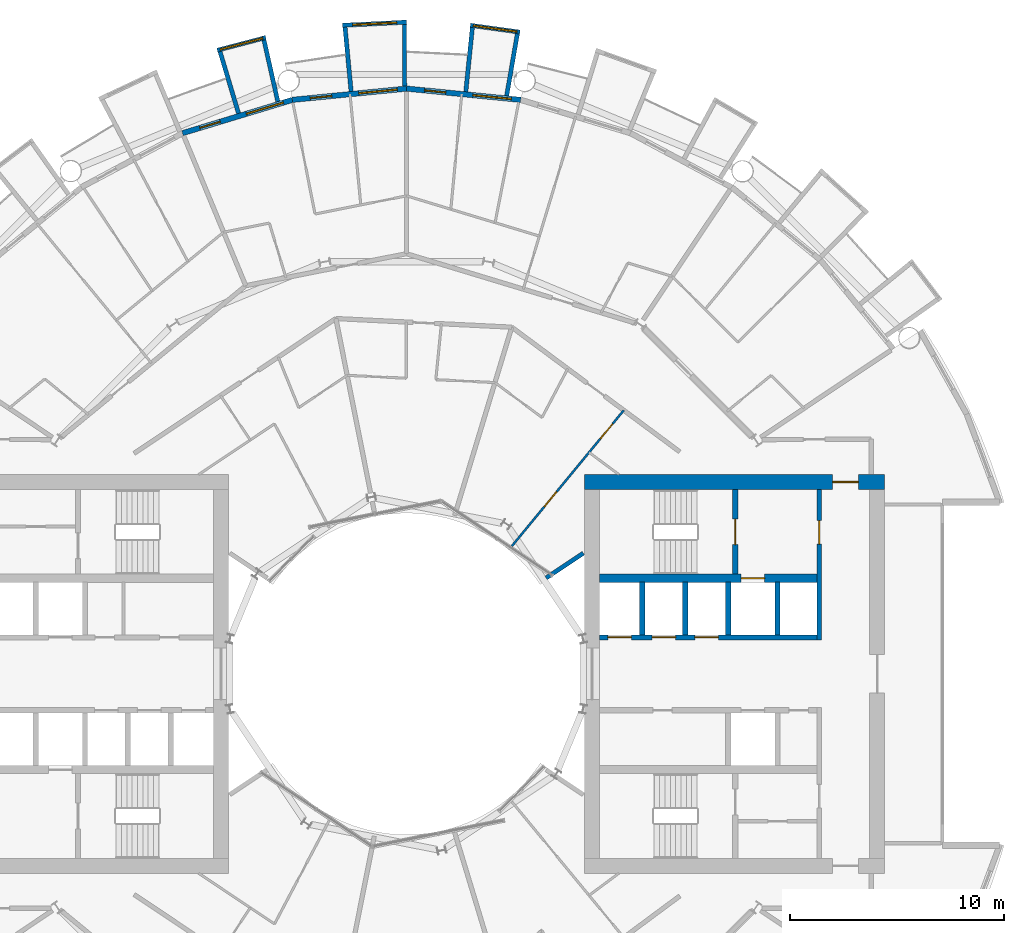
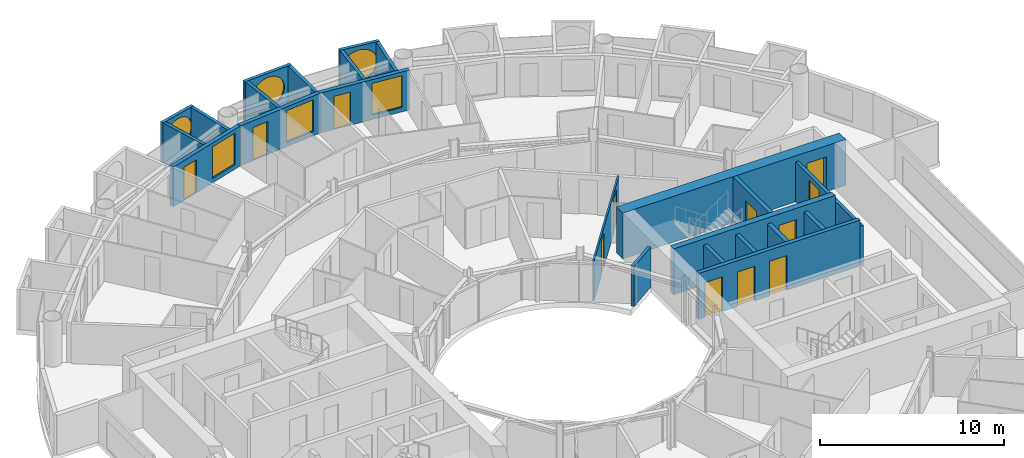
# One storey, part 20 of 25: 23 walls, 12 doors, 6 windows, 18 openings.
"""IFC4 building model written with IfcOpenShell, lengths in metres."""

import ifcopenshell
import ifcopenshell.guid

model = None  # the IFC model being written
_history = None  # IfcOwnerHistory: only IFC2X3 demands one
_inside = {}  # id of a spatial element -> (the spatial element, [elements in it])
_under = {}  # id of a project, library or spatial element -> (it, [spatial elements below it])
_declared = {}  # id of a project -> (the project, [libraries it declares])
_typed = {}  # id of a type object -> (the type object, [elements of that type])
_made_of = {}  # id of a material, layer set ... -> (it, [elements and type objects made of it])


def new_model(schema):
    """Start an empty IFC model of exactly this schema.

    Asked for "IFC4X3", IfcOpenShell would pick the latest addendum, in which some entities
    have other attributes; the version numbers below select the first issue.
    IFC2X3 requires an IfcOwnerHistory on every rooted entity: one is made here for all.
    """
    global model, _history
    if schema == "IFC4X3":
        model = ifcopenshell.file(schema_version=(4, 3, 0, 0))
    else:
        model = ifcopenshell.file(schema=schema)
    _inside.clear()
    _under.clear()
    _declared.clear()
    _typed.clear()
    _made_of.clear()
    _history = None
    if model.schema == "IFC2X3":
        org = make("IfcOrganization", Name="unknown")
        user = make(
            "IfcPersonAndOrganization",
            ThePerson=make("IfcPerson", FamilyName="unknown"),
            TheOrganization=org,
        )
        app = make(
            "IfcApplication",
            ApplicationDeveloper=org,
            Version="unknown",
            ApplicationFullName="unknown",
            ApplicationIdentifier="unknown",
        )
        _history = make(
            "IfcOwnerHistory",
            OwningUser=user,
            OwningApplication=app,
            ChangeAction="ADDED",
            CreationDate=0,
        )
    return model


def make(cls, **values):
    """One entity of the class cls with the attributes given. An attribute that is None is left unset."""
    return model.create_entity(
        cls, **{name: value for name, value in values.items() if value is not None}
    )


def rooted(cls, **values):
    """An entity with a GlobalId (a new one), such as an element, a storey or a relation."""
    return make(cls, GlobalId=ifcopenshell.guid.new(), OwnerHistory=_history, **values)


def si_unit(unit_type, name, prefix=None):
    """IfcSIUnit, for example si_unit("LENGTHUNIT", "METRE", prefix="MILLI")."""
    return make("IfcSIUnit", UnitType=unit_type, Prefix=prefix, Name=name)


def assignment(units):
    """IfcUnitAssignment: the units of a project."""
    return None if units is None else make("IfcUnitAssignment", Units=units)


def point(xyz):
    """IfcCartesianPoint."""
    return None if xyz is None else make("IfcCartesianPoint", Coordinates=xyz)


def direction(xyz):
    """IfcDirection."""
    return None if xyz is None else make("IfcDirection", DirectionRatios=xyz)


def frame(location, z_axis=None, x_axis=None):
    """IfcAxis2Placement3D, a coordinate frame: its origin and axes. An axis left out is left unset."""
    return make(
        "IfcAxis2Placement3D",
        Location=point(location),
        Axis=direction(z_axis),
        RefDirection=direction(x_axis),
    )


def frame_2d(location, x_axis=None):
    """IfcAxis2Placement2D, a coordinate frame in the plane: its origin and x axis."""
    return make(
        "IfcAxis2Placement2D", Location=point(location), RefDirection=direction(x_axis)
    )


def origin():
    """The frame at (0, 0, 0) with its axes left unset."""
    return frame((0.0, 0.0, 0.0))


def place(relative_to, where):
    """IfcLocalPlacement: puts the frame where relative to a parent placement (None: the world)."""
    return make(
        "IfcLocalPlacement", PlacementRelTo=relative_to, RelativePlacement=where
    )


def context(
    kind, dimensions, precision=None, world=None, true_north=None, identifier=None
):
    """IfcGeometricRepresentationContext, for example the 3D "Model" context."""
    return make(
        "IfcGeometricRepresentationContext",
        ContextIdentifier=identifier,
        ContextType=kind,
        CoordinateSpaceDimension=dimensions,
        Precision=precision,
        WorldCoordinateSystem=world,
        TrueNorth=true_north,
    )


def subcontext(parent, identifier, kind, view, scale=None):
    """IfcGeometricRepresentationSubContext, for example "Body" below "Model"."""
    return make(
        "IfcGeometricRepresentationSubContext",
        ContextIdentifier=identifier,
        ContextType=kind,
        ParentContext=parent,
        TargetScale=scale,
        TargetView=view,
    )


def project(units=None, contexts=None):
    """IfcProject with its units and contexts."""
    return rooted(
        "IfcProject",
        Name="project",
        RepresentationContexts=contexts,
        UnitsInContext=assignment(units),
    )


def spatial(cls, under=None, at=None, **own):
    """A site, building, storey or space (cls), placed at a placement, below another one or the project."""
    s = rooted(cls, ObjectPlacement=at, **own)
    if under is not None:
        _under.setdefault(under.id(), (under, []))[1].append(s)
    return s


def profile(cls, at=None, kind="AREA", **sizes):
    """A parametric profile (cls). Its sizes go by their IFC names, for example OverallWidth=200.0."""
    return make(cls, ProfileType=kind, Position=at, **sizes)


def rectangle(**sizes):
    """IfcRectangleProfileDef."""
    return profile("IfcRectangleProfileDef", **sizes)


def circle(**sizes):
    """IfcCircleProfileDef."""
    return profile("IfcCircleProfileDef", **sizes)


def extrude(swept, where, along, depth):
    """IfcExtrudedAreaSolid: the profile swept, set in the frame where, extruded along a direction by depth."""
    return make(
        "IfcExtrudedAreaSolid",
        SweptArea=swept,
        Position=where,
        ExtrudedDirection=direction(along),
        Depth=depth,
    )


def shape(context_of_items, identifier, shape_type, items):
    """IfcShapeRepresentation: the items that make up one representation, for example the "Body"."""
    return make(
        "IfcShapeRepresentation",
        ContextOfItems=context_of_items,
        RepresentationIdentifier=identifier,
        RepresentationType=shape_type,
        Items=items,
    )


def material(Name=None, Category=None):
    """IfcMaterial."""
    return make("IfcMaterial", Name=Name, Category=Category)


def layer(
    of_material, thickness, ventilated=None, Name=None, Category=None, Priority=None
):
    """IfcMaterialLayer: one layer of a wall or slab, of a material (None: an air gap)."""
    return make(
        "IfcMaterialLayer",
        Material=of_material,
        LayerThickness=thickness,
        IsVentilated=ventilated,
        Name=Name,
        Category=Category,
        Priority=Priority,
    )


def layer_set(layers, Name=None):
    """IfcMaterialLayerSet."""
    return make("IfcMaterialLayerSet", MaterialLayers=layers, LayerSetName=Name)


def made_of(thing, what):
    """Note that an element or type object is made of a material, layer set ...; save() writes the relation."""
    if what is not None:
        _made_of.setdefault(what.id(), (what, []))[1].append(thing)
    return thing


def type_object(cls, material=None, **own):
    """A type object (cls), such as IfcWallType, which elements share."""
    return made_of(rooted(cls, **own), material)


def element(
    cls,
    number,
    at=None,
    inside=None,
    cuts=None,
    type_object=None,
    material=None,
    context=None,
    identifier="Body",
    shape_type=None,
    held_by="IfcProductDefinitionShape",
    body=None,
    shapes=None,
    **own,
):
    """One element of the class cls, such as IfcWall. Its Tag is "e" and its number.

    at: its placement. inside: the storey or other place that contains it. cuts: it is an
    opening in that element (IfcRelVoidsElement). A single representation is given by context,
    identifier, shape_type and body (its items); several are given by shapes. held_by: the class
    of the entity that holds the representations. save() writes the other relations.
    """
    e = rooted(cls, Tag="e%d" % number, ObjectPlacement=at, **own)
    if body is not None:
        shapes = [shape(context, identifier, shape_type, body)]
    if shapes is not None:
        e.Representation = make(held_by, Representations=shapes)
    if inside is not None:
        _inside.setdefault(inside.id(), (inside, []))[1].append(e)
    if cuts is not None:
        rooted(
            "IfcRelVoidsElement", RelatingBuildingElement=cuts, RelatedOpeningElement=e
        )
    if type_object is not None:
        _typed.setdefault(type_object.id(), (type_object, []))[1].append(e)
    return made_of(e, material)


def fill(opening, filler):
    """IfcRelFillsElement: the door or window that sits in an opening."""
    return rooted(
        "IfcRelFillsElement",
        RelatingOpeningElement=opening,
        RelatedBuildingElement=filler,
    )


def aggregate(whole, parts):
    """IfcRelAggregates: a whole, such as a stair, and the parts it consists of."""
    return rooted("IfcRelAggregates", RelatingObject=whole, RelatedObjects=parts)


def save(model, path):
    """Write the relations noted so far, then the file.

    IfcRelAggregates (storeys below a building ...), IfcRelContainedInSpatialStructure (elements
    in a storey), IfcRelDefinesByType, IfcRelAssociatesMaterial and IfcRelDeclares: one each for
    every whole, place, type object, material and project.
    """
    for whole, parts in _under.values():
        aggregate(whole, parts)
    for where, things in _inside.values():
        rooted(
            "IfcRelContainedInSpatialStructure",
            RelatedElements=things,
            RelatingStructure=where,
        )
    for kind, things in _typed.values():
        rooted("IfcRelDefinesByType", RelatedObjects=things, RelatingType=kind)
    for what, things in _made_of.values():
        rooted("IfcRelAssociatesMaterial", RelatedObjects=things, RelatingMaterial=what)
    for by, libraries in _declared.values():
        rooted("IfcRelDeclares", RelatingContext=by, RelatedDefinitions=libraries)
    model.write(path)


model = new_model("IFC4")

# Units and contexts
model_context = context("Model", 3, precision=1e-05, world=origin(), true_north=direction((0.0, 1.0)))
body_context = subcontext(model_context, "Body", "Model", "MODEL_VIEW")
ifc_project = project(units=[si_unit("LENGTHUNIT", "METRE"), si_unit("AREAUNIT", "SQUARE_METRE"), si_unit("VOLUMEUNIT", "CUBIC_METRE"), si_unit("PLANEANGLEUNIT", "RADIAN"), si_unit("MASSUNIT", "GRAM", prefix="KILO")], contexts=[model_context])

# Site, building, storey
site_placement = place(None, origin())
site = spatial("IfcSite", under=ifc_project, at=site_placement, CompositionType="ELEMENT")
building_placement = place(site_placement, origin())
building = spatial("IfcBuilding", under=site, at=building_placement, Name="Maasbend Ring Residences", CompositionType="ELEMENT")
storey_placement = place(building_placement, frame((0.0, 0.0, 94.10009765625)))
storey = spatial("IfcBuildingStorey", under=building, at=storey_placement, Name="L27", CompositionType="ELEMENT", Elevation=94.10009765625)

# Wall, openings, doors
ifc_material_1 = material(Name="Concrete C70/85", Category="concrete")
ifc_layer_1 = layer(ifc_material_1, 0.25)
ifc_layer_set_1 = layer_set([ifc_layer_1], Name="Concrete C70/85")
wall_type_1 = type_object("IfcWallType", Name="CORE WALL 250 C70/85", PredefinedType="SHEAR", material=ifc_layer_set_1)
wall_1_placement = place(storey_placement, frame((9.0, 1.699951171875, 0.0), z_axis=(0.0, 0.0, 1.0), x_axis=(1.0, 0.0, 0.0)))
wall_1 = element("IfcWall", 1, at=wall_1_placement, inside=storey, type_object=wall_type_1, Name="L27 core E wall SPN", PredefinedType="SHEAR", context=body_context, shape_type="SweptSolid", body=[
    extrude(rectangle(XDim=10.14990234375, YDim=0.25, at=frame_2d((5.074951171875, 0.0))), origin(), (0.0, 0.0, 1.0), 3.0498046875),
])
opening_1_placement = place(wall_1_placement, frame((0.387451171875, 0.0, 0.0)))
opening_1 = element("IfcOpeningElement", 2, at=opening_1_placement, cuts=wall_1, Name="Opening LD-E2701", PredefinedType="OPENING", context=body_context, shape_type="SweptSolid", body=[
    extrude(rectangle(XDim=1.10009765625, YDim=2.300048828125, at=frame_2d((0.550048828125, 1.14990234375))), frame((0.0, 0.135009765625, 0.0), z_axis=(0.0, -1.0, 0.0), x_axis=(1.0, 0.0, 0.0)), (0.0, 0.0, 1.0), 0.27001953125),
])
opening_2_placement = place(wall_1_placement, frame((2.449951171875, 0.0, 0.0)))
opening_2 = element("IfcOpeningElement", 3, at=opening_2_placement, cuts=wall_1, Name="Opening LD-E2702", PredefinedType="OPENING", context=body_context, shape_type="SweptSolid", body=[
    extrude(rectangle(XDim=1.10009765625, YDim=2.300048828125, at=frame_2d((0.550048828125, 1.14990234375))), frame((0.0, 0.135009765625, 0.0), z_axis=(0.0, -1.0, 0.0), x_axis=(1.0, 0.0, 0.0)), (0.0, 0.0, 1.0), 0.27001953125),
])
opening_3_placement = place(wall_1_placement, frame((4.449951171875, 0.0, 0.0)))
opening_3 = element("IfcOpeningElement", 4, at=opening_3_placement, cuts=wall_1, Name="Opening LD-E2703", PredefinedType="OPENING", context=body_context, shape_type="SweptSolid", body=[
    extrude(rectangle(XDim=1.10009765625, YDim=2.300048828125, at=frame_2d((0.550048828125, 1.14990234375))), frame((0.0, 0.135009765625, 0.0), z_axis=(0.0, -1.0, 0.0), x_axis=(1.0, 0.0, 0.0)), (0.0, 0.0, 1.0), 0.27001953125),
])
ifc_material_2 = material(Name="Stainless steel 316", Category="steel")
door_type_1 = type_object("IfcDoorType", Name="LANDING DOOR 1100 X 2300 FD60", OperationType="DOUBLE_DOOR_SLIDING", PredefinedType="DOOR", material=ifc_material_2)
door_1_placement = place(opening_1_placement, origin())
door_1 = element("IfcDoor", 5, at=door_1_placement, inside=storey, type_object=door_type_1, Name="Landing door LR-E1 L27", OperationType="DOUBLE_DOOR_SLIDING", OverallHeight=2.300048828125, OverallWidth=1.10009765625, PredefinedType="DOOR", context=body_context, shape_type="SweptSolid", body=[
    extrude(rectangle(XDim=1.10009765625, YDim=2.300048828125, at=frame_2d((0.550048828125, 1.14990234375))), frame((0.0, 0.02490234375, 0.0), z_axis=(0.0, -1.0, 0.0), x_axis=(1.0, 0.0, 0.0)), (0.0, 0.0, 1.0), 0.050048828125),
])
fill(opening_1, door_1)
door_2_placement = place(opening_2_placement, origin())
door_2 = element("IfcDoor", 6, at=door_2_placement, inside=storey, type_object=door_type_1, Name="Landing door LR-E2 L27", OperationType="DOUBLE_DOOR_SLIDING", OverallHeight=2.300048828125, OverallWidth=1.10009765625, PredefinedType="DOOR", context=body_context, shape_type="SweptSolid", body=[
    extrude(rectangle(XDim=1.10009765625, YDim=2.300048828125, at=frame_2d((0.550048828125, 1.14990234375))), frame((0.0, 0.02490234375, 0.0), z_axis=(0.0, -1.0, 0.0), x_axis=(1.0, 0.0, 0.0)), (0.0, 0.0, 1.0), 0.050048828125),
])
fill(opening_2, door_2)
door_3_placement = place(opening_3_placement, origin())
door_3 = element("IfcDoor", 7, at=door_3_placement, inside=storey, type_object=door_type_1, Name="Landing door LR-E3 L27", OperationType="DOUBLE_DOOR_SLIDING", OverallHeight=2.300048828125, OverallWidth=1.10009765625, PredefinedType="DOOR", context=body_context, shape_type="SweptSolid", body=[
    extrude(rectangle(XDim=1.10009765625, YDim=2.300048828125, at=frame_2d((0.550048828125, 1.14990234375))), frame((0.0, 0.02490234375, 0.0), z_axis=(0.0, -1.0, 0.0), x_axis=(1.0, 0.0, 0.0)), (0.0, 0.0, 1.0), 0.050048828125),
])
fill(opening_3, door_3)

# Wall, opening, door
wall_2_placement = place(storey_placement, frame((15.324951171875, 4.64990234375, 0.0), z_axis=(0.0, 0.0, 1.0), x_axis=(0.0, 1.0, 0.0)))
wall_2 = element("IfcWall", 8, at=wall_2_placement, inside=storey, type_object=wall_type_1, Name="L27 core E wall STEN", PredefinedType="SHEAR", context=body_context, shape_type="SweptSolid", body=[
    extrude(rectangle(XDim=3.9501953125, YDim=0.25, at=frame_2d((1.97509765625, 0.0))), origin(), (0.0, 0.0, 1.0), 3.0498046875),
])
opening_4_placement = place(wall_2_placement, frame((1.375, 0.0, 0.0)))
opening_4 = element("IfcOpeningElement", 9, at=opening_4_placement, cuts=wall_2, Name="Opening D-E2709", PredefinedType="OPENING", context=body_context, shape_type="SweptSolid", body=[
    extrude(rectangle(XDim=1.199951171875, YDim=2.300048828125, at=frame_2d((0.60009765625, 1.14990234375))), frame((0.0, 0.135009765625, 0.0), z_axis=(0.0, -1.0, 0.0), x_axis=(1.0, 0.0, 0.0)), (0.0, 0.0, 1.0), 0.27001953125),
])
ifc_material_3 = material(Name="Steel, powder coated", Category="steel")
door_type_2 = type_object("IfcDoorType", Name="STAIR DOOR 1200 X 2300 FD60", OperationType="NOTDEFINED", PredefinedType="DOOR", material=ifc_material_3)
door_4_placement = place(opening_4_placement, origin())
door_4 = element("IfcDoor", 10, at=door_4_placement, inside=storey, type_object=door_type_2, Name="Stair door ST-E L27", OperationType="SINGLE_SWING_LEFT", OverallHeight=2.300048828125, OverallWidth=1.199951171875, PredefinedType="DOOR", context=body_context, shape_type="SweptSolid", body=[
    extrude(rectangle(XDim=1.199951171875, YDim=2.300048828125, at=frame_2d((0.60009765625, 1.14990234375))), frame((0.0, 0.02490234375, 0.0), z_axis=(0.0, -1.0, 0.0), x_axis=(1.0, 0.0, 0.0)), (0.0, 0.0, 1.0), 0.050048828125),
])
fill(opening_4, door_4)

ifc_material_4 = material(Name="Concrete C70/85", Category="concrete")
ifc_layer_2 = layer(ifc_material_4, 0.375)
ifc_layer_set_2 = layer_set([ifc_layer_2], Name="Concrete C70/85")
wall_type_2 = type_object("IfcWallType", Name="CORE WALL 375 C70/85", PredefinedType="SHEAR", material=ifc_layer_set_2)
wall_3_placement = place(storey_placement, frame((9.0, 4.46240234375, 0.0), z_axis=(0.0, 0.0, 1.0), x_axis=(1.0, 0.0, 0.0)))
wall_3 = element("IfcWall", 11, at=wall_3_placement, inside=storey, type_object=wall_type_2, Name="L27 core E wall BN", PredefinedType="SHEAR", context=body_context, shape_type="SweptSolid", body=[
    extrude(rectangle(XDim=10.14990234375, YDim=0.375, at=frame_2d((5.074951171875, 0.0))), origin(), (0.0, 0.0, 1.0), 3.0498046875),
])
opening_5_placement = place(wall_3_placement, frame((6.60009765625, 0.0, 0.0)))
opening_5 = element("IfcOpeningElement", 12, at=opening_5_placement, cuts=wall_3, Name="Opening LD-E2704", PredefinedType="OPENING", context=body_context, shape_type="SweptSolid", body=[
    extrude(rectangle(XDim=1.10009765625, YDim=2.300048828125, at=frame_2d((0.550048828125, 1.14990234375))), frame((0.0, 0.197509765625, 0.0), z_axis=(0.0, -1.0, 0.0), x_axis=(1.0, 0.0, 0.0)), (0.0, 0.0, 1.0), 0.39501953125),
])
door_5_placement = place(opening_5_placement, origin())
door_5 = element("IfcDoor", 13, at=door_5_placement, inside=storey, type_object=door_type_1, Name="Landing door FF-E L27", OperationType="DOUBLE_DOOR_SLIDING", OverallHeight=2.300048828125, OverallWidth=1.10009765625, PredefinedType="DOOR", context=body_context, shape_type="SweptSolid", body=[
    extrude(rectangle(XDim=1.10009765625, YDim=2.300048828125, at=frame_2d((0.550048828125, 1.14990234375))), frame((0.0, 0.02490234375, 0.0), z_axis=(0.0, -1.0, 0.0), x_axis=(1.0, 0.0, 0.0)), (0.0, 0.0, 1.0), 0.050048828125),
])
fill(opening_5, door_5)

ifc_material_5 = material(Name="Concrete C70/85", Category="concrete")
ifc_layer_3 = layer(ifc_material_5, 0.699951171875)
ifc_layer_set_3 = layer_set([ifc_layer_3], Name="Concrete C70/85")
wall_type_3 = type_object("IfcWallType", Name="CORE WALL 700 C70/85", PredefinedType="SHEAR", material=ifc_layer_set_3)
wall_4_placement = place(storey_placement, frame((22.300048828125, 8.949951171875, 0.0), z_axis=(0.0, 0.0, 1.0), x_axis=(-1.0, 0.0, 0.0)))
wall_4 = element("IfcWall", 14, at=wall_4_placement, inside=storey, type_object=wall_type_3, Name="L27 core E wall PN", PredefinedType="SHEAR", context=body_context, shape_type="SweptSolid", body=[
    extrude(rectangle(XDim=14.0, YDim=0.699951171875, at=frame_2d((7.0, 0.0))), origin(), (0.0, 0.0, 1.0), 3.0498046875),
])
opening_6_placement = place(wall_4_placement, frame((1.22509765625, 0.0, 0.0)))
opening_6 = element("IfcOpeningElement", 15, at=opening_6_placement, cuts=wall_4, Name="Opening D-E2713", PredefinedType="OPENING", context=body_context, shape_type="SweptSolid", body=[
    extrude(rectangle(XDim=1.199951171875, YDim=2.300048828125, at=frame_2d((0.60009765625, 1.14990234375))), frame((0.0, 0.35986328125, 0.0), z_axis=(0.0, -1.0, 0.0), x_axis=(1.0, 0.0, 0.0)), (0.0, 0.0, 1.0), 0.719970703125),
])
ifc_material_6 = material(Name="Steel, powder coated", Category="steel")
door_type_3 = type_object("IfcDoorType", Name="CORRIDOR DOOR 1200 X 2300 FD30S", OperationType="NOTDEFINED", PredefinedType="DOOR", material=ifc_material_6)
door_6_placement = place(opening_6_placement, origin())
door_6 = element("IfcDoor", 16, at=door_6_placement, inside=storey, type_object=door_type_3, Name="Corridor door L27", OperationType="SINGLE_SWING_RIGHT", OverallHeight=2.300048828125, OverallWidth=1.199951171875, PredefinedType="DOOR", context=body_context, shape_type="SweptSolid", body=[
    extrude(rectangle(XDim=1.199951171875, YDim=2.300048828125, at=frame_2d((0.60009765625, 1.14990234375))), frame((0.0, 0.02490234375, 0.0), z_axis=(0.0, -1.0, 0.0), x_axis=(1.0, 0.0, 0.0)), (0.0, 0.0, 1.0), 0.050048828125),
])
fill(opening_6, door_6)

# Wall, opening, window
ifc_material_7 = material(Name="Pale anodised aluminium panel", Category="aluminium")
ifc_layer_4 = layer(ifc_material_7, 0.199951171875)
ifc_layer_set_4 = layer_set([ifc_layer_4], Name="EW-BOX")
wall_type_4 = type_object("IfcWallType", Name="EW-BOX", PredefinedType="SOLIDWALL", material=ifc_layer_set_4)
wall_5_placement = place(storey_placement, frame((5.2900390625, 29.93603515625, -0.030029296875), z_axis=(0.0, 0.0, 1.0), x_axis=(-0.990696111261, 0.136092671119, 0.0)))
wall_5 = element("IfcWall", 17, at=wall_5_placement, inside=storey, type_object=wall_type_4, Name="Box front N09", PredefinedType="SOLIDWALL", context=body_context, shape_type="SweptSolid", body=[
    extrude(rectangle(XDim=2.335693359375, YDim=0.199951171875, at=frame_2d((1.16796875, 0.0))), origin(), (0.0, 0.0, 1.0), 2.679931640625),
])
opening_7_placement = place(wall_5_placement, frame((0.128173828125, 0.0, 0.330078125)))
opening_7 = element("IfcOpeningElement", 18, at=opening_7_placement, cuts=wall_5, Name="Opening W-RD", PredefinedType="OPENING", context=body_context, shape_type="SweptSolid", body=[
    extrude(circle(Radius=1.0400390625, at=frame_2d((1.0400390625, 1.0400390625))), frame((0.0, 0.10986328125, 0.0), z_axis=(0.0, -1.0, 0.0), x_axis=(1.0, 0.0, 0.0)), (0.0, 0.0, 1.0), 0.219970703125),
])
ifc_material_8 = material(Name="Aluminium and clear glass", Category="aluminium")
window_type_1 = type_object("IfcWindowType", Name="W-RD", PartitioningType="SINGLE_PANEL", PredefinedType="WINDOW", material=ifc_material_8)
window_1_placement = place(opening_7_placement, origin())
window_1 = element("IfcWindow", 19, at=window_1_placement, inside=storey, type_object=window_type_1, Name="Round window N09", OverallHeight=2.080078125, OverallWidth=2.080078125, PartitioningType="SINGLE_PANEL", PredefinedType="WINDOW", context=body_context, shape_type="SweptSolid", body=[
    extrude(circle(Radius=1.0400390625, at=frame_2d((1.0400390625, 1.0400390625))), frame((0.0, 0.030029296875, 0.0), z_axis=(0.0, -1.0, 0.0), x_axis=(1.0, 0.0, 0.0)), (0.0, 0.0, 1.0), 0.06005859375),
])
fill(opening_7, window_1)

# Walls
wall_6_placement = place(storey_placement, frame((4.6708984375, 26.966064453125, -0.030029296875), z_axis=(0.0, 0.0, 1.0), x_axis=(0.170539878907, 0.985350774954, 0.0)))
element("IfcWall", 20, at=wall_6_placement, inside=storey, type_object=wall_type_4, Name="Box side wall N09 left", PredefinedType="SOLIDWALL", context=body_context, shape_type="SweptSolid", body=[
    extrude(rectangle(XDim=2.931884765625, YDim=0.199951171875, at=frame_2d((1.4658203125, 0.0))), origin(), (0.0, 0.0, 1.0), 2.679931640625),
])
wall_7_placement = place(storey_placement, frame((2.763916015625, 27.153076171875, -0.030029296875), z_axis=(0.0, 0.0, 1.0), x_axis=(0.101505487237, 0.994834979311, 0.0)))
element("IfcWall", 21, at=wall_7_placement, inside=storey, type_object=wall_type_4, Name="Box side wall N09 right", PredefinedType="SOLIDWALL", context=body_context, shape_type="SweptSolid", body=[
    extrude(rectangle(XDim=3.006591796875, YDim=0.199951171875, at=frame_2d((1.50341796875, 0.0))), origin(), (0.0, 0.0, 1.0), 2.679931640625),
])

# Wall, opening, window
wall_8_placement = place(storey_placement, frame((0.0048828125, 30.39990234375, -0.030029296875), z_axis=(0.0, 0.0, 1.0), x_axis=(-0.998794083011, -0.049095618353, 0.0)))
wall_8 = element("IfcWall", 22, at=wall_8_placement, inside=storey, type_object=wall_type_4, Name="Box front N11", PredefinedType="SOLIDWALL", context=body_context, shape_type="SweptSolid", body=[
    extrude(rectangle(XDim=2.99365234375, YDim=0.199951171875, at=frame_2d((1.496826171875, 0.0))), origin(), (0.0, 0.0, 1.0), 2.679931640625),
])
opening_8_placement = place(wall_8_placement, frame((0.45654296875, 0.0, 0.330078125)))
opening_8 = element("IfcOpeningElement", 23, at=opening_8_placement, cuts=wall_8, Name="Opening W-RD", PredefinedType="OPENING", context=body_context, shape_type="SweptSolid", body=[
    extrude(circle(Radius=1.0400390625, at=frame_2d((1.0400390625, 1.0400390625))), frame((0.0, 0.10986328125, 0.0), z_axis=(0.0, -1.0, 0.0), x_axis=(1.0, 0.0, 0.0)), (0.0, 0.0, 1.0), 0.219970703125),
])
window_2_placement = place(opening_8_placement, origin())
window_2 = element("IfcWindow", 24, at=window_2_placement, inside=storey, type_object=window_type_1, Name="Round window N11", OverallHeight=2.080078125, OverallWidth=2.080078125, PartitioningType="SINGLE_PANEL", PredefinedType="WINDOW", context=body_context, shape_type="SweptSolid", body=[
    extrude(circle(Radius=1.0400390625, at=frame_2d((1.0400390625, 1.0400390625))), frame((0.0, 0.030029296875, 0.0), z_axis=(0.0, -1.0, 0.0), x_axis=(1.0, 0.0, 0.0)), (0.0, 0.0, 1.0), 0.06005859375),
])
fill(opening_8, window_2)

# Walls
wall_9_placement = place(storey_placement, frame((-0.090087890625, 27.4169921875, -0.030029296875), z_axis=(0.0, 0.0, 1.0), x_axis=(-0.00347308367, 0.999993968827, 0.0)))
element("IfcWall", 25, at=wall_9_placement, inside=storey, type_object=wall_type_4, Name="Box side wall N11 left", PredefinedType="SOLIDWALL", context=body_context, shape_type="SweptSolid", body=[
    extrude(rectangle(XDim=2.882080078125, YDim=0.199951171875, at=frame_2d((1.44091796875, 0.0))), origin(), (0.0, 0.0, 1.0), 2.679931640625),
])
wall_10_placement = place(storey_placement, frame((-2.5859375, 27.1708984375, -0.030029296875), z_axis=(0.0, 0.0, 1.0), x_axis=(-0.094548432284, 0.995520262954, 0.0)))
element("IfcWall", 26, at=wall_10_placement, inside=storey, type_object=wall_type_4, Name="Box side wall N11 right", PredefinedType="SOLIDWALL", context=body_context, shape_type="SweptSolid", body=[
    extrude(rectangle(XDim=3.005615234375, YDim=0.199951171875, at=frame_2d((1.5029296875, 0.0))), origin(), (0.0, 0.0, 1.0), 2.679931640625),
])

# Wall, opening, window
wall_11_placement = place(storey_placement, frame((-6.568115234375, 29.681884765625, -0.030029296875), z_axis=(0.0, 0.0, 1.0), x_axis=(-0.967377102346, -0.253340762326, 0.0)))
wall_11 = element("IfcWall", 27, at=wall_11_placement, inside=storey, type_object=wall_type_4, Name="Box front N13", PredefinedType="SOLIDWALL", context=body_context, shape_type="SweptSolid", body=[
    extrude(rectangle(XDim=2.3359375, YDim=0.199951171875, at=frame_2d((1.16796875, 0.0))), origin(), (0.0, 0.0, 1.0), 2.679931640625),
])
opening_9_placement = place(wall_11_placement, frame((0.128173828125, 0.0, 0.330078125)))
opening_9 = element("IfcOpeningElement", 28, at=opening_9_placement, cuts=wall_11, Name="Opening W-RD", PredefinedType="OPENING", context=body_context, shape_type="SweptSolid", body=[
    extrude(circle(Radius=1.0400390625, at=frame_2d((1.0400390625, 1.0400390625))), frame((0.0, 0.10986328125, 0.0), z_axis=(0.0, -1.0, 0.0), x_axis=(1.0, 0.0, 0.0)), (0.0, 0.0, 1.0), 0.219970703125),
])
window_3_placement = place(opening_9_placement, origin())
window_3 = element("IfcWindow", 29, at=window_3_placement, inside=storey, type_object=window_type_1, Name="Round window N13", OverallHeight=2.080078125, OverallWidth=2.080078125, PartitioningType="SINGLE_PANEL", PredefinedType="WINDOW", context=body_context, shape_type="SweptSolid", body=[
    extrude(circle(Radius=1.0400390625, at=frame_2d((1.0400390625, 1.0400390625))), frame((0.0, 0.030029296875, 0.0), z_axis=(0.0, -1.0, 0.0), x_axis=(1.0, 0.0, 0.0)), (0.0, 0.0, 1.0), 0.06005859375),
])
fill(opening_9, window_3)

# Walls
wall_12_placement = place(storey_placement, frame((-6.00390625, 26.699951171875, -0.030029296875), z_axis=(0.0, 0.0, 1.0), x_axis=(-0.219609259383, 0.975587911566, 0.0)))
element("IfcWall", 30, at=wall_12_placement, inside=storey, type_object=wall_type_4, Name="Box side wall N13 left", PredefinedType="SOLIDWALL", context=body_context, shape_type="SweptSolid", body=[
    extrude(rectangle(XDim=2.9326171875, YDim=0.199951171875, at=frame_2d((1.46630859375, 0.0))), origin(), (0.0, 0.0, 1.0), 2.679931640625),
])
wall_13_placement = place(storey_placement, frame((-7.8369140625, 26.14404296875, -0.030029296875), z_axis=(0.0, 0.0, 1.0), x_axis=(-0.287064767992, 0.957911174889, 0.0)))
element("IfcWall", 31, at=wall_13_placement, inside=storey, type_object=wall_type_4, Name="Box side wall N13 right", PredefinedType="SOLIDWALL", context=body_context, shape_type="SweptSolid", body=[
    extrude(rectangle(XDim=3.00634765625, YDim=0.199951171875, at=frame_2d((1.503173828125, 0.0))), origin(), (0.0, 0.0, 1.0), 2.679931640625),
])

# Wall, openings, door, window
ifc_material_9 = material(Name="Aluminium clad insulated panel", Category="aluminium")
ifc_layer_5 = layer(ifc_material_9, 0.25)
ifc_layer_set_5 = layer_set([ifc_layer_5], Name="EW-GL")
wall_type_5 = type_object("IfcWallType", Name="EW-GL", PredefinedType="SOLIDWALL", material=ifc_layer_set_5)
wall_14_placement = place(storey_placement, frame((5.325927734375, 26.77490234375, 0.0), z_axis=(0.0, 0.0, 1.0), x_axis=(-0.995173996315, 0.098126026407, 0.0)))
wall_14 = element("IfcWall", 32, at=wall_14_placement, inside=storey, type_object=wall_type_5, Name="External wall N05", PredefinedType="SOLIDWALL", context=body_context, shape_type="SweptSolid", body=[
    extrude(rectangle(XDim=5.351806640625, YDim=0.25, at=frame_2d((2.67578125, 0.0))), origin(), (0.0, 0.0, 1.0), 2.64990234375),
])
opening_10_placement = place(wall_14_placement, frame((0.441162109375, 0.0, 0.300048828125)))
opening_10 = element("IfcOpeningElement", 33, at=opening_10_placement, cuts=wall_14, Name="Opening W-BX", PredefinedType="OPENING", context=body_context, shape_type="SweptSolid", body=[
    extrude(rectangle(XDim=1.800048828125, YDim=2.10009765625, at=frame_2d((0.89990234375, 1.050048828125))), frame((0.0, 0.135009765625, 0.0), z_axis=(0.0, -1.0, 0.0), x_axis=(1.0, 0.0, 0.0)), (0.0, 0.0, 1.0), 0.27001953125),
])
opening_11_placement = place(wall_14_placement, frame((3.510498046875, 0.0, 0.0)))
opening_11 = element("IfcOpeningElement", 34, at=opening_11_placement, cuts=wall_14, Name="Opening D-LG", PredefinedType="OPENING", context=body_context, shape_type="SweptSolid", body=[
    extrude(rectangle(XDim=1.0, YDim=2.199951171875, at=frame_2d((0.5, 1.10009765625))), frame((0.0, 0.135009765625, 0.0), z_axis=(0.0, -1.0, 0.0), x_axis=(1.0, 0.0, 0.0)), (0.0, 0.0, 1.0), 0.27001953125),
])
ifc_material_10 = material(Name="Aluminium and clear glass", Category="aluminium")
door_type_4 = type_object("IfcDoorType", Name="D-LG", OperationType="SINGLE_SWING_LEFT", PredefinedType="DOOR", material=ifc_material_10)
door_7_placement = place(opening_11_placement, origin())
door_7 = element("IfcDoor", 35, at=door_7_placement, inside=storey, type_object=door_type_4, Name="Loggia door N10", OperationType="SINGLE_SWING_LEFT", OverallHeight=2.199951171875, OverallWidth=1.0, PredefinedType="DOOR", context=body_context, shape_type="SweptSolid", body=[
    extrude(rectangle(XDim=1.0, YDim=2.199951171875, at=frame_2d((0.5, 1.10009765625))), frame((0.0, 0.02490234375, 0.0), z_axis=(0.0, -1.0, 0.0), x_axis=(1.0, 0.0, 0.0)), (0.0, 0.0, 1.0), 0.050048828125),
])
fill(opening_11, door_7)
ifc_material_11 = material(Name="Aluminium and clear glass", Category="aluminium")
window_type_2 = type_object("IfcWindowType", Name="W-BX", PartitioningType="DOUBLE_PANEL_VERTICAL", PredefinedType="WINDOW", material=ifc_material_11)
window_4_placement = place(opening_10_placement, origin())
window_4 = element("IfcWindow", 36, at=window_4_placement, inside=storey, type_object=window_type_2, Name="Window N09 room to box", OverallHeight=2.10009765625, OverallWidth=1.800048828125, PartitioningType="SINGLE_PANEL", PredefinedType="WINDOW", context=body_context, shape_type="SweptSolid", body=[
    extrude(rectangle(XDim=1.800048828125, YDim=2.10009765625, at=frame_2d((0.89990234375, 1.050048828125))), frame((0.0, 0.030029296875, 0.0), z_axis=(0.0, -1.0, 0.0), x_axis=(1.0, 0.0, 0.0)), (0.0, 0.0, 1.0), 0.06005859375),
])
fill(opening_10, window_4)

wall_15_placement = place(storey_placement, frame((0.0, 27.300048828125, 0.0), z_axis=(0.0, 0.0, 1.0), x_axis=(-0.995173996315, -0.098126026407, 0.0)))
wall_15 = element("IfcWall", 37, at=wall_15_placement, inside=storey, type_object=wall_type_5, Name="External wall N06", PredefinedType="SOLIDWALL", context=body_context, shape_type="SweptSolid", body=[
    extrude(rectangle(XDim=5.351806640625, YDim=0.25, at=frame_2d((2.67578125, 0.0))), origin(), (0.0, 0.0, 1.0), 2.64990234375),
])
opening_12_placement = place(wall_15_placement, frame((0.441162109375, 0.0, 0.300048828125)))
opening_12 = element("IfcOpeningElement", 38, at=opening_12_placement, cuts=wall_15, Name="Opening W-BX", PredefinedType="OPENING", context=body_context, shape_type="SweptSolid", body=[
    extrude(rectangle(XDim=1.800048828125, YDim=2.10009765625, at=frame_2d((0.89990234375, 1.050048828125))), frame((0.0, 0.135009765625, 0.0), z_axis=(0.0, -1.0, 0.0), x_axis=(1.0, 0.0, 0.0)), (0.0, 0.0, 1.0), 0.27001953125),
])
opening_13_placement = place(wall_15_placement, frame((3.510498046875, 0.0, 0.0)))
opening_13 = element("IfcOpeningElement", 39, at=opening_13_placement, cuts=wall_15, Name="Opening D-LG", PredefinedType="OPENING", context=body_context, shape_type="SweptSolid", body=[
    extrude(rectangle(XDim=1.0, YDim=2.199951171875, at=frame_2d((0.5, 1.10009765625))), frame((0.0, 0.135009765625, 0.0), z_axis=(0.0, -1.0, 0.0), x_axis=(1.0, 0.0, 0.0)), (0.0, 0.0, 1.0), 0.27001953125),
])
door_8_placement = place(opening_13_placement, origin())
door_8 = element("IfcDoor", 40, at=door_8_placement, inside=storey, type_object=door_type_4, Name="Loggia door N12", OperationType="SINGLE_SWING_LEFT", OverallHeight=2.199951171875, OverallWidth=1.0, PredefinedType="DOOR", context=body_context, shape_type="SweptSolid", body=[
    extrude(rectangle(XDim=1.0, YDim=2.199951171875, at=frame_2d((0.5, 1.10009765625))), frame((0.0, 0.02490234375, 0.0), z_axis=(0.0, -1.0, 0.0), x_axis=(1.0, 0.0, 0.0)), (0.0, 0.0, 1.0), 0.050048828125),
])
fill(opening_13, door_8)
window_5_placement = place(opening_12_placement, origin())
window_5 = element("IfcWindow", 41, at=window_5_placement, inside=storey, type_object=window_type_2, Name="Window N11 room to box", OverallHeight=2.10009765625, OverallWidth=1.800048828125, PartitioningType="SINGLE_PANEL", PredefinedType="WINDOW", context=body_context, shape_type="SweptSolid", body=[
    extrude(rectangle(XDim=1.800048828125, YDim=2.10009765625, at=frame_2d((0.89990234375, 1.050048828125))), frame((0.0, 0.030029296875, 0.0), z_axis=(0.0, -1.0, 0.0), x_axis=(1.0, 0.0, 0.0)), (0.0, 0.0, 1.0), 0.06005859375),
])
fill(opening_12, window_5)

wall_16_placement = place(storey_placement, frame((-5.325927734375, 26.77490234375, 0.0), z_axis=(0.0, 0.0, 1.0), x_axis=(-0.956965678721, -0.290201119486, 0.0)))
wall_16 = element("IfcWall", 42, at=wall_16_placement, inside=storey, type_object=wall_type_5, Name="External wall N07", PredefinedType="SOLIDWALL", context=body_context, shape_type="SweptSolid", body=[
    extrude(rectangle(XDim=5.351318359375, YDim=0.25, at=frame_2d((2.67578125, 0.0))), origin(), (0.0, 0.0, 1.0), 2.64990234375),
])
opening_14_placement = place(wall_16_placement, frame((0.441162109375, 0.0, 0.300048828125)))
opening_14 = element("IfcOpeningElement", 43, at=opening_14_placement, cuts=wall_16, Name="Opening W-BX", PredefinedType="OPENING", context=body_context, shape_type="SweptSolid", body=[
    extrude(rectangle(XDim=1.800048828125, YDim=2.10009765625, at=frame_2d((0.89990234375, 1.050048828125))), frame((0.0, 0.135009765625, 0.0), z_axis=(0.0, -1.0, 0.0), x_axis=(1.0, 0.0, 0.0)), (0.0, 0.0, 1.0), 0.27001953125),
])
opening_15_placement = place(wall_16_placement, frame((3.510498046875, 0.0, 0.0)))
opening_15 = element("IfcOpeningElement", 44, at=opening_15_placement, cuts=wall_16, Name="Opening D-LG", PredefinedType="OPENING", context=body_context, shape_type="SweptSolid", body=[
    extrude(rectangle(XDim=1.0, YDim=2.199951171875, at=frame_2d((0.5, 1.10009765625))), frame((0.0, 0.135009765625, 0.0), z_axis=(0.0, -1.0, 0.0), x_axis=(1.0, 0.0, 0.0)), (0.0, 0.0, 1.0), 0.27001953125),
])
door_9_placement = place(opening_15_placement, origin())
door_9 = element("IfcDoor", 45, at=door_9_placement, inside=storey, type_object=door_type_4, Name="Loggia door N14", OperationType="SINGLE_SWING_LEFT", OverallHeight=2.199951171875, OverallWidth=1.0, PredefinedType="DOOR", context=body_context, shape_type="SweptSolid", body=[
    extrude(rectangle(XDim=1.0, YDim=2.199951171875, at=frame_2d((0.5, 1.10009765625))), frame((0.0, 0.02490234375, 0.0), z_axis=(0.0, -1.0, 0.0), x_axis=(1.0, 0.0, 0.0)), (0.0, 0.0, 1.0), 0.050048828125),
])
fill(opening_15, door_9)
window_6_placement = place(opening_14_placement, origin())
window_6 = element("IfcWindow", 46, at=window_6_placement, inside=storey, type_object=window_type_2, Name="Window N13 room to box", OverallHeight=2.10009765625, OverallWidth=1.800048828125, PartitioningType="SINGLE_PANEL", PredefinedType="WINDOW", context=body_context, shape_type="SweptSolid", body=[
    extrude(rectangle(XDim=1.800048828125, YDim=2.10009765625, at=frame_2d((0.89990234375, 1.050048828125))), frame((0.0, 0.030029296875, 0.0), z_axis=(0.0, -1.0, 0.0), x_axis=(1.0, 0.0, 0.0)), (0.0, 0.0, 1.0), 0.06005859375),
])
fill(opening_14, window_6)

# Wall, openings, doors
ifc_material_12 = material(Name="Gypsum board on steel studs", Category="steel")
ifc_layer_6 = layer(ifc_material_12, 0.10009765625)
ifc_layer_set_6 = layer_set([ifc_layer_6], Name="PARTITION 100 GYPSUM")
wall_type_6 = type_object("IfcWallType", Name="PARTITION 100 GYPSUM", PredefinedType="PARTITIONING", material=ifc_layer_set_6)
wall_17_placement = place(storey_placement, frame((4.908935546875, 5.9580078125, 0.0), z_axis=(0.0, 0.0, 1.0), x_axis=(0.635976043025, 0.771708800454, 0.0)))
wall_17 = element("IfcWall", 47, at=wall_17_placement, inside=storey, type_object=wall_type_6, Name="U-L27-w068", PredefinedType="PARTITIONING", context=body_context, shape_type="SweptSolid", body=[
    extrude(rectangle(XDim=8.212890625, YDim=0.10009765625, at=frame_2d((4.1064453125, 0.0))), origin(), (0.0, 0.0, 1.0), 2.64990234375),
])
opening_16_placement = place(wall_17_placement, frame((6.489990234375, 0.0, 0.0)))
opening_16 = element("IfcOpeningElement", 48, at=opening_16_placement, cuts=wall_17, Name="Opening D-2723", PredefinedType="OPENING", context=body_context, shape_type="SweptSolid", body=[
    extrude(rectangle(XDim=0.89990234375, YDim=2.300048828125, at=frame_2d((0.449951171875, 1.14990234375))), frame((0.0, 0.06005859375, 0.0), z_axis=(0.0, -1.0, 0.0), x_axis=(1.0, 0.0, 0.0)), (0.0, 0.0, 1.0), 0.1201171875),
])
opening_17_placement = place(wall_17_placement, frame((2.384033203125, 0.0, 0.0)))
opening_17 = element("IfcOpeningElement", 49, at=opening_17_placement, cuts=wall_17, Name="Opening D-2724", PredefinedType="OPENING", context=body_context, shape_type="SweptSolid", body=[
    extrude(rectangle(XDim=0.89990234375, YDim=2.300048828125, at=frame_2d((0.449951171875, 1.14990234375))), frame((0.0, 0.06005859375, 0.0), z_axis=(0.0, -1.0, 0.0), x_axis=(1.0, 0.0, 0.0)), (0.0, 0.0, 1.0), 0.1201171875),
])
ifc_material_13 = material(Name="Timber, painted", Category="wood")
door_type_5 = type_object("IfcDoorType", Name="INTERNAL DOOR 900 X 2300", OperationType="NOTDEFINED", PredefinedType="DOOR", material=ifc_material_13)
door_10_placement = place(opening_16_placement, origin())
door_10 = element("IfcDoor", 50, at=door_10_placement, inside=storey, type_object=door_type_5, Name="D-2723", OperationType="SINGLE_SWING_RIGHT", OverallHeight=2.300048828125, OverallWidth=0.89990234375, PredefinedType="DOOR", context=body_context, shape_type="SweptSolid", body=[
    extrude(rectangle(XDim=0.89990234375, YDim=2.300048828125, at=frame_2d((0.449951171875, 1.14990234375))), frame((0.0, 0.02490234375, 0.0), z_axis=(0.0, -1.0, 0.0), x_axis=(1.0, 0.0, 0.0)), (0.0, 0.0, 1.0), 0.050048828125),
])
fill(opening_16, door_10)
door_11_placement = place(opening_17_placement, origin())
door_11 = element("IfcDoor", 51, at=door_11_placement, inside=storey, type_object=door_type_5, Name="D-2724", OperationType="SINGLE_SWING_LEFT", OverallHeight=2.300048828125, OverallWidth=0.89990234375, PredefinedType="DOOR", context=body_context, shape_type="SweptSolid", body=[
    extrude(rectangle(XDim=0.89990234375, YDim=2.300048828125, at=frame_2d((0.449951171875, 1.14990234375))), frame((0.0, 0.02490234375, 0.0), z_axis=(0.0, -1.0, 0.0), x_axis=(1.0, 0.0, 0.0)), (0.0, 0.0, 1.0), 0.050048828125),
])
fill(opening_17, door_11)

# Wall
ifc_material_14 = material(Name="Concrete C30/37", Category="concrete")
ifc_layer_7 = layer(ifc_material_14, 0.199951171875)
ifc_layer_set_7 = layer_set([ifc_layer_7], Name="Concrete C30/37")
wall_type_7 = type_object("IfcWallType", Name="PARTY WALL 200 CONCRETE", PredefinedType="PARTITIONING", material=ifc_layer_set_7)
wall_18_placement = place(storey_placement, frame((6.512939453125, 4.471923828125, 0.0), z_axis=(0.0, 0.0, 1.0), x_axis=(0.831382204863, 0.555701025225, 0.0)))
element("IfcWall", 52, at=wall_18_placement, inside=storey, type_object=wall_type_7, Name="U-L27-w086", PredefinedType="PARTITIONING", context=body_context, shape_type="SweptSolid", body=[
    extrude(rectangle(XDim=2.08203125, YDim=0.199951171875, at=frame_2d((1.041015625, 0.0))), origin(), (0.0, 0.0, 1.0), 2.64990234375),
])

# Wall, opening, door
ifc_material_15 = material(Name="Concrete C30/37", Category="concrete")
ifc_layer_8 = layer(ifc_material_15, 0.199951171875)
ifc_layer_set_8 = layer_set([ifc_layer_8], Name="Concrete C30/37")
wall_type_8 = type_object("IfcWallType", Name="SHAFT WALL 200 EI 120", PredefinedType="SOLIDWALL", material=ifc_layer_set_8)
wall_19_placement = place(storey_placement, frame((19.25, 1.574951171875, 0.0), z_axis=(0.0, 0.0, 1.0), x_axis=(0.0, 1.0, 0.0)))
wall_19 = element("IfcWall", 53, at=wall_19_placement, inside=storey, type_object=wall_type_8, Name="L27 core E wall ENDN", PredefinedType="SOLIDWALL", context=body_context, shape_type="SweptSolid", body=[
    extrude(rectangle(XDim=7.025146484375, YDim=0.199951171875, at=frame_2d((3.5126953125, 0.0))), origin(), (0.0, 0.0, 1.0), 2.64990234375),
])
opening_18_placement = place(wall_19_placement, frame((4.47509765625, 0.0, 0.0)))
opening_18 = element("IfcOpeningElement", 54, at=opening_18_placement, cuts=wall_19, Name="Opening D-E2711", PredefinedType="OPENING", context=body_context, shape_type="SweptSolid", body=[
    extrude(rectangle(XDim=1.10009765625, YDim=2.300048828125, at=frame_2d((0.550048828125, 1.14990234375))), frame((0.0, 0.10986328125, 0.0), z_axis=(0.0, -1.0, 0.0), x_axis=(1.0, 0.0, 0.0)), (0.0, 0.0, 1.0), 0.219970703125),
])
ifc_material_16 = material(Name="Steel, powder coated", Category="steel")
door_type_6 = type_object("IfcDoorType", Name="LOBBY DOOR 1100 X 2300 FD60", OperationType="NOTDEFINED", PredefinedType="DOOR", material=ifc_material_16)
door_12_placement = place(opening_18_placement, origin())
door_12 = element("IfcDoor", 55, at=door_12_placement, inside=storey, type_object=door_type_6, Name="Lobby door L27", OperationType="SINGLE_SWING_LEFT", OverallHeight=2.300048828125, OverallWidth=1.10009765625, PredefinedType="DOOR", context=body_context, shape_type="SweptSolid", body=[
    extrude(rectangle(XDim=1.10009765625, YDim=2.300048828125, at=frame_2d((0.550048828125, 1.14990234375))), frame((0.0, 0.02490234375, 0.0), z_axis=(0.0, -1.0, 0.0), x_axis=(1.0, 0.0, 0.0)), (0.0, 0.0, 1.0), 0.050048828125),
])
fill(opening_18, door_12)

# Walls
ifc_material_17 = material(Name="Concrete C30/37", Category="concrete")
ifc_layer_9 = layer(ifc_material_17, 0.25)
ifc_layer_set_9 = layer_set([ifc_layer_9], Name="Concrete C30/37")
wall_type_9 = type_object("IfcWallType", Name="SHAFT WALL 250 EI 120", PredefinedType="SOLIDWALL", material=ifc_layer_set_9)
for number, where, z_axis, x_axis, name in (
    (56, (15.0, 1.824951171875, 0.0), (0.0, 0.0, 1.0), (0.0, 1.0, 0.0), "L27 core E wall D150N"),
    (57, (17.300048828125, 1.824951171875, 0.0), (0.0, 0.0, 1.0), (0.0, 1.0, 0.0), "L27 core E wall D173N"),
    (58, (11.0, 1.824951171875, 0.0), (0.0, 0.0, 1.0), (0.0, 1.0, 0.0), "L27 core E wall D110N"),
    (59, (13.0, 1.824951171875, 0.0), (0.0, 0.0, 1.0), (0.0, 1.0, 0.0), "L27 core E wall D130N"),
):
    element("IfcWall", number, at=place(storey_placement, frame(where, z_axis=z_axis, x_axis=x_axis)), inside=storey, type_object=wall_type_9, Name=name, PredefinedType="SOLIDWALL", context=body_context, shape_type="SweptSolid", body=[
        extrude(rectangle(XDim=2.449951171875, YDim=0.25, at=frame_2d((1.22509765625, 0.0))), origin(), (0.0, 0.0, 1.0), 2.64990234375),
    ])

save(model, "model.ifc")
